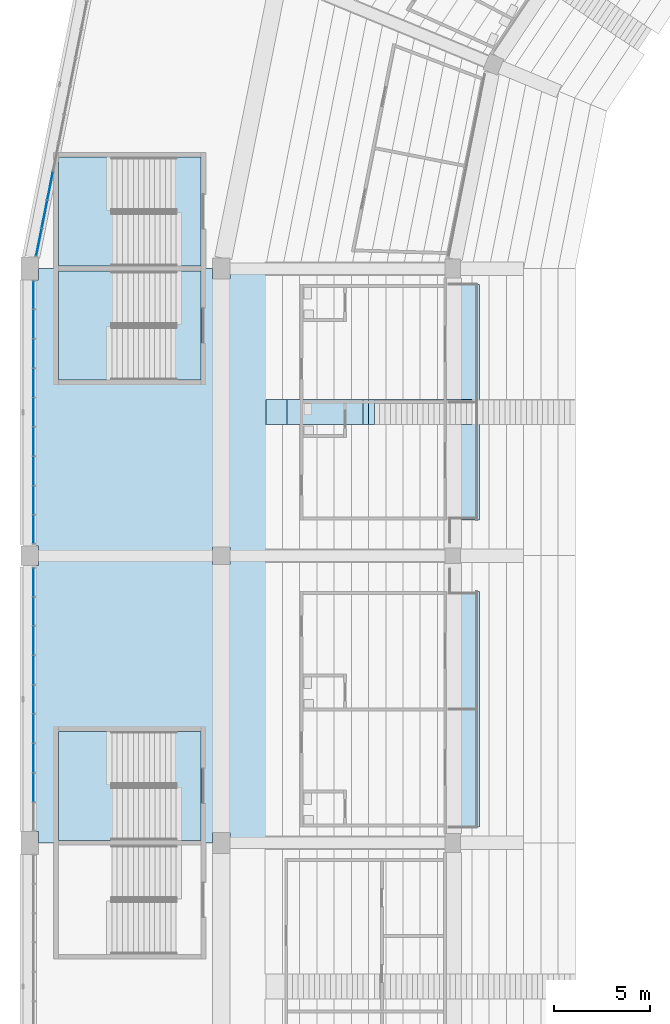
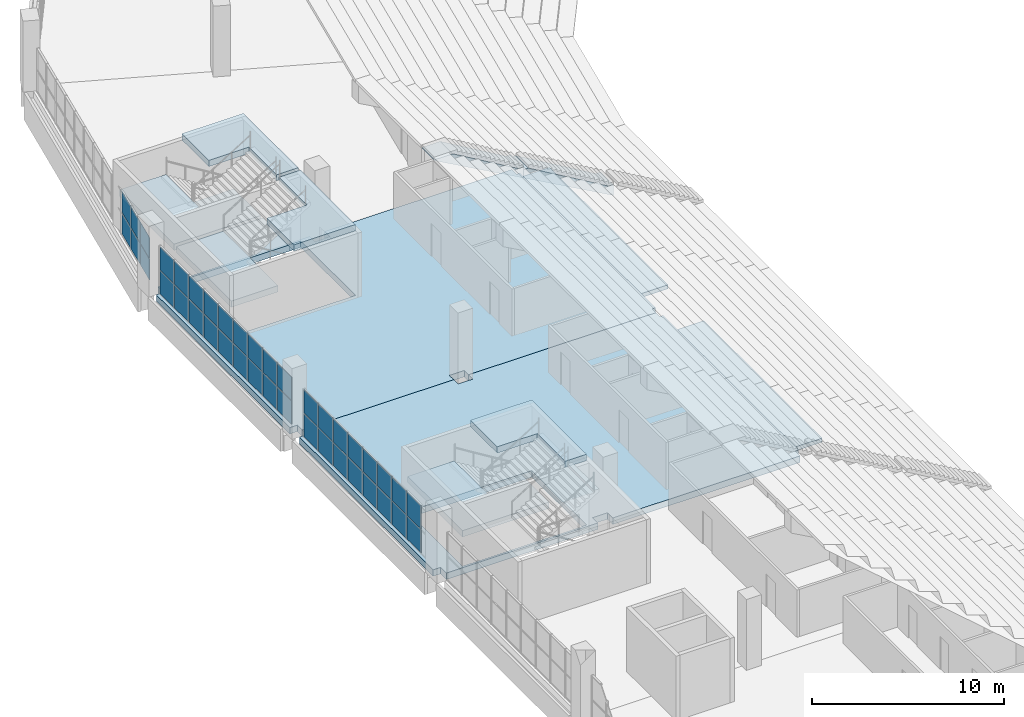
# One storey, part 75 of 249: 40 plates, 12 slabs, 6 elements without a shape of their own.
"""IFC4 building model written with IfcOpenShell, lengths in metres."""

from ifc_helpers import new_model, si_unit, direction, frame, origin, origin_2d, place, context, subcontext, project, spatial, polyline, rectangle, outline, extrude, material, layer, layer_set, type_object, element, aggregate, save


model = new_model("IFC4")

# Units and contexts
model_context = context("Model", 3, precision=1e-05, world=origin(), true_north=direction((0.0, 1.0)))
body_context = subcontext(model_context, "Body", "Model", "MODEL_VIEW")
ifc_project = project(units=[si_unit("LENGTHUNIT", "METRE"), si_unit("AREAUNIT", "SQUARE_METRE"), si_unit("VOLUMEUNIT", "CUBIC_METRE"), si_unit("PLANEANGLEUNIT", "RADIAN"), si_unit("MASSUNIT", "GRAM", prefix="KILO")], contexts=[model_context])

# Site, building, storey
site_placement = place(None, origin())
site = spatial("IfcSite", under=ifc_project, at=site_placement, CompositionType="ELEMENT")
building_placement = place(site_placement, origin())
building = spatial("IfcBuilding", under=site, at=building_placement, Name="Ogive Plaza Stadium", CompositionType="ELEMENT")
storey_placement = place(building_placement, frame((0.0, 0.0, 13.5)))
storey = spatial("IfcBuildingStorey", under=building, at=storey_placement, Name="L03", CompositionType="ELEMENT", Elevation=13.5)

# Slabs
ifc_material_1 = material(Name="Concrete C40/50", Category="concrete")
ifc_layer_1 = layer(ifc_material_1, 0.75927734375)
ifc_layer_set_1 = layer_set([ifc_layer_1], Name="Concrete C40/50")
ifc_layer_2 = layer(ifc_material_1, 0.449951171875)
ifc_layer_set_2 = layer_set([ifc_layer_2], Name="Concrete C40/50")
slab_type_1 = type_object("IfcSlabType", Name="Aisle stair slab 1300", PredefinedType="USERDEFINED", material=ifc_layer_set_2)
slab_1_placement = place(storey_placement, frame((-60.89990234375, 45.0, -13.5), z_axis=(0.0, 0.0, 1.0), x_axis=(-1.0, 0.0, 0.0)))
element("IfcSlab", 1, at=slab_1_placement, inside=storey, type_object=slab_type_1, material=ifc_layer_set_1, Name="Aisle stair SA27U slab 2", ObjectType="AISLE STAIR SLAB", PredefinedType="USERDEFINED", context=body_context, shape_type="SweptSolid", body=[
    extrude(outline(polyline([(0.0, 17.0), (0.2958984375, 17.0), (5.10009765625, 19.825927734375), (5.39990234375, 19.825927734375), (5.39990234375, 19.300048828125), (5.25, 19.216796875), (5.10009765625, 19.13330078125), (4.949951171875, 19.050048828125), (4.800048828125, 18.966796875), (4.64990234375, 18.88330078125), (4.5, 18.800048828125), (4.35009765625, 18.716796875), (4.199951171875, 18.63330078125), (4.050048828125, 18.550048828125), (3.89990234375, 18.466796875), (3.75, 18.38330078125), (3.60009765625, 18.300048828125), (3.449951171875, 18.216796875), (3.300048828125, 18.13330078125), (3.14990234375, 18.050048828125), (3.0, 17.966796875), (2.85009765625, 17.88330078125), (2.699951171875, 17.800048828125), (2.550048828125, 17.716796875), (2.39990234375, 17.63330078125), (2.25, 17.550048828125), (2.10009765625, 17.466796875), (1.949951171875, 17.38330078125), (1.800048828125, 17.300048828125), (1.64990234375, 17.216796875), (1.5, 17.13330078125), (1.35009765625, 17.050048828125), (1.199951171875, 16.966796875), (1.050048828125, 16.88330078125), (0.89990234375, 16.800048828125), (0.75, 16.716796875), (0.60009765625, 16.63330078125), (0.449951171875, 16.550048828125), (0.300048828125, 16.466796875), (0.14990234375, 16.38330078125), (0.0, 16.300048828125), (0.0, 17.0)])), frame((0.0, 0.64990234375, 0.0), z_axis=(0.0, -1.0, 0.0), x_axis=(1.0, 0.0, 0.0)), (0.0, 0.0, 1.0), 1.300048828125),
])
ifc_layer_3 = layer(ifc_material_1, 1.08056640625)
ifc_layer_set_3 = layer_set([ifc_layer_3], Name="Concrete C40/50")
slab_2_placement = place(storey_placement, frame((-66.300048828125, 45.0, -13.5), z_axis=(0.0, 0.0, 1.0), x_axis=(-1.0, 0.0, 0.0)))
element("IfcSlab", 2, at=slab_2_placement, inside=storey, type_object=slab_type_1, material=ifc_layer_set_3, Name="Aisle stair SA27U slab 3", ObjectType="AISLE STAIR SLAB", PredefinedType="USERDEFINED", context=body_context, shape_type="SweptSolid", body=[
    extrude(outline(polyline([(0.0, 20.0), (0.2958984375, 20.0), (4.25, 22.325927734375), (5.35009765625, 22.325927734375), (5.35009765625, 22.272216796875), (5.25, 22.216796875), (5.10009765625, 22.13330078125), (4.949951171875, 22.050048828125), (4.800048828125, 21.966796875), (4.64990234375, 21.88330078125), (4.5, 21.800048828125), (4.35009765625, 21.716796875), (4.199951171875, 21.63330078125), (4.050048828125, 21.550048828125), (3.89990234375, 21.466796875), (3.75, 21.38330078125), (3.60009765625, 21.300048828125), (3.449951171875, 21.216796875), (3.300048828125, 21.13330078125), (3.14990234375, 21.050048828125), (3.0, 20.966796875), (2.85009765625, 20.88330078125), (2.699951171875, 20.800048828125), (2.550048828125, 20.716796875), (2.39990234375, 20.63330078125), (2.25, 20.550048828125), (2.10009765625, 20.466796875), (1.949951171875, 20.38330078125), (1.800048828125, 20.300048828125), (1.64990234375, 20.216796875), (1.5, 20.13330078125), (1.35009765625, 20.050048828125), (1.199951171875, 19.966796875), (1.050048828125, 19.88330078125), (0.89990234375, 19.800048828125), (0.75, 19.716796875), (0.60009765625, 19.63330078125), (0.449951171875, 19.550048828125), (0.300048828125, 19.466796875), (0.14990234375, 19.38330078125), (0.0, 19.300048828125), (0.0, 20.0)])), frame((0.0, 0.64990234375, 0.0), z_axis=(0.0, -1.0, 0.0), x_axis=(1.0, 0.0, 0.0)), (0.0, 0.0, 1.0), 1.300048828125),
])
ifc_material_2 = material(Name="Concrete C40/50", Category="concrete")
ifc_layer_4 = layer(ifc_material_2, 0.25)
ifc_layer_set_4 = layer_set([ifc_layer_4], Name="Concrete C40/50")
slab_type_2 = type_object("IfcSlabType", Name="Balcony slab 250", PredefinedType="FLOOR", material=ifc_layer_set_4)
slab_3_placement = place(storey_placement, frame((0.0, 0.0, -0.25)))
element("IfcSlab", 3, at=slab_3_placement, inside=storey, type_object=slab_type_2, Name="Suite terrace slab B26", PredefinedType="FLOOR", context=body_context, shape_type="SweptSolid", body=[
    extrude(outline(polyline([(-60.5, 35.625), (-62.10009765625, 35.625), (-62.10009765625, 23.324951171875), (-60.5, 23.324951171875), (-60.5, 35.625)])), origin(), (0.0, 0.0, 1.0), 0.25),
])
slab_4_placement = place(storey_placement, frame((0.0, 0.0, -0.25)))
element("IfcSlab", 4, at=slab_4_placement, inside=storey, type_object=slab_type_2, Name="Suite terrace slab B27", PredefinedType="FLOOR", context=body_context, shape_type="SweptSolid", body=[
    extrude(outline(polyline([(-60.5, 51.675048828125), (-62.10009765625, 51.675048828125), (-62.10009765625, 39.375), (-60.5, 39.375), (-60.5, 51.675048828125)])), origin(), (0.0, 0.0, 1.0), 0.25),
])

# Curtain wall, plates
ifc_material_3 = material(Name="Bronze-anodised aluminium with laminated glass", Category="aluminium")
curtain_wall_type = type_object("IfcCurtainWallType", Name="Lancet curtain wall", PredefinedType="NOTDEFINED", material=ifc_material_3)
curtain_wall_1_placement = place(storey_placement, origin())
curtain_wall_1 = element("IfcCurtainWall", 5, at=curtain_wall_1_placement, inside=storey, type_object=curtain_wall_type, Name="CURTAIN WALL B26 L03", PredefinedType="NOTDEFINED")
ifc_material_4 = material(Name="Laminated glass", Category="glass")
ifc_layer_5 = layer(ifc_material_4, 0.028076171875)
ifc_layer_set_5 = layer_set([ifc_layer_5], Name="Laminated glass panel 28")
plate_type = type_object("IfcPlateType", Name="Laminated glass panel 28", PredefinedType="CURTAIN_PANEL", material=ifc_layer_set_5)
plate_1_placement = place(storey_placement, frame((-83.800048828125, 25.39990234375, 0.0498046875), z_axis=(0.0, 0.0, 1.0), x_axis=(0.0, 1.0, 0.0)))
plate_1 = element("IfcPlate", 6, at=plate_1_placement, type_object=plate_type, Name="CW-B26-L03 panel 2.1", PredefinedType="CURTAIN_PANEL", context=body_context, shape_type="SweptSolid", body=[
    extrude(rectangle(XDim=1.4833984375, YDim=0.028076171875, at=origin_2d()), origin(), (0.0, 0.0, 1.0), 1.469970703125),
])
plate_2_placement = place(storey_placement, frame((-83.800048828125, 25.39990234375, 1.56982421875), z_axis=(0.0, 0.0, 1.0), x_axis=(0.0, 1.0, 0.0)))
plate_2 = element("IfcPlate", 7, at=plate_2_placement, type_object=plate_type, Name="CW-B26-L03 panel 2.2", PredefinedType="CURTAIN_PANEL", context=body_context, shape_type="SweptSolid", body=[
    extrude(rectangle(XDim=1.4833984375, YDim=0.028076171875, at=origin_2d()), origin(), (0.0, 0.0, 1.0), 1.469970703125),
])
plate_3_placement = place(storey_placement, frame((-83.800048828125, 26.933349609375, 0.0498046875), z_axis=(0.0, 0.0, 1.0), x_axis=(0.0, 1.0, 0.0)))
plate_3 = element("IfcPlate", 8, at=plate_3_placement, type_object=plate_type, Name="CW-B26-L03 panel 3.1", PredefinedType="CURTAIN_PANEL", context=body_context, shape_type="SweptSolid", body=[
    extrude(rectangle(XDim=1.4833984375, YDim=0.028076171875, at=origin_2d()), origin(), (0.0, 0.0, 1.0), 1.469970703125),
])
plate_4_placement = place(storey_placement, frame((-83.800048828125, 26.933349609375, 1.56982421875), z_axis=(0.0, 0.0, 1.0), x_axis=(0.0, 1.0, 0.0)))
plate_4 = element("IfcPlate", 9, at=plate_4_placement, type_object=plate_type, Name="CW-B26-L03 panel 3.2", PredefinedType="CURTAIN_PANEL", context=body_context, shape_type="SweptSolid", body=[
    extrude(rectangle(XDim=1.4833984375, YDim=0.028076171875, at=origin_2d()), origin(), (0.0, 0.0, 1.0), 1.469970703125),
])
plate_5_placement = place(storey_placement, frame((-83.800048828125, 28.466552734375, 0.0498046875), z_axis=(0.0, 0.0, 1.0), x_axis=(0.0, 1.0, 0.0)))
plate_5 = element("IfcPlate", 10, at=plate_5_placement, type_object=plate_type, Name="CW-B26-L03 panel 4.1", PredefinedType="CURTAIN_PANEL", context=body_context, shape_type="SweptSolid", body=[
    extrude(rectangle(XDim=1.4833984375, YDim=0.028076171875, at=origin_2d()), origin(), (0.0, 0.0, 1.0), 1.469970703125),
])
plate_6_placement = place(storey_placement, frame((-83.800048828125, 28.466552734375, 1.56982421875), z_axis=(0.0, 0.0, 1.0), x_axis=(0.0, 1.0, 0.0)))
plate_6 = element("IfcPlate", 11, at=plate_6_placement, type_object=plate_type, Name="CW-B26-L03 panel 4.2", PredefinedType="CURTAIN_PANEL", context=body_context, shape_type="SweptSolid", body=[
    extrude(rectangle(XDim=1.4833984375, YDim=0.028076171875, at=origin_2d()), origin(), (0.0, 0.0, 1.0), 1.469970703125),
])
plate_7_placement = place(storey_placement, frame((-83.800048828125, 30.0, 0.0498046875), z_axis=(0.0, 0.0, 1.0), x_axis=(0.0, 1.0, 0.0)))
plate_7 = element("IfcPlate", 12, at=plate_7_placement, type_object=plate_type, Name="CW-B26-L03 panel 5.1", PredefinedType="CURTAIN_PANEL", context=body_context, shape_type="SweptSolid", body=[
    extrude(rectangle(XDim=1.4833984375, YDim=0.028076171875, at=origin_2d()), origin(), (0.0, 0.0, 1.0), 1.469970703125),
])
plate_8_placement = place(storey_placement, frame((-83.800048828125, 30.0, 1.56982421875), z_axis=(0.0, 0.0, 1.0), x_axis=(0.0, 1.0, 0.0)))
plate_8 = element("IfcPlate", 13, at=plate_8_placement, type_object=plate_type, Name="CW-B26-L03 panel 5.2", PredefinedType="CURTAIN_PANEL", context=body_context, shape_type="SweptSolid", body=[
    extrude(rectangle(XDim=1.4833984375, YDim=0.028076171875, at=origin_2d()), origin(), (0.0, 0.0, 1.0), 1.469970703125),
])
plate_9_placement = place(storey_placement, frame((-83.800048828125, 31.533447265625, 0.0498046875), z_axis=(0.0, 0.0, 1.0), x_axis=(0.0, 1.0, 0.0)))
plate_9 = element("IfcPlate", 14, at=plate_9_placement, type_object=plate_type, Name="CW-B26-L03 panel 6.1", PredefinedType="CURTAIN_PANEL", context=body_context, shape_type="SweptSolid", body=[
    extrude(rectangle(XDim=1.4833984375, YDim=0.028076171875, at=origin_2d()), origin(), (0.0, 0.0, 1.0), 1.469970703125),
])
plate_10_placement = place(storey_placement, frame((-83.800048828125, 31.533447265625, 1.56982421875), z_axis=(0.0, 0.0, 1.0), x_axis=(0.0, 1.0, 0.0)))
plate_10 = element("IfcPlate", 15, at=plate_10_placement, type_object=plate_type, Name="CW-B26-L03 panel 6.2", PredefinedType="CURTAIN_PANEL", context=body_context, shape_type="SweptSolid", body=[
    extrude(rectangle(XDim=1.4833984375, YDim=0.028076171875, at=origin_2d()), origin(), (0.0, 0.0, 1.0), 1.469970703125),
])
plate_11_placement = place(storey_placement, frame((-83.800048828125, 33.066650390625, 0.0498046875), z_axis=(0.0, 0.0, 1.0), x_axis=(0.0, 1.0, 0.0)))
plate_11 = element("IfcPlate", 16, at=plate_11_placement, type_object=plate_type, Name="CW-B26-L03 panel 7.1", PredefinedType="CURTAIN_PANEL", context=body_context, shape_type="SweptSolid", body=[
    extrude(rectangle(XDim=1.4833984375, YDim=0.028076171875, at=origin_2d()), origin(), (0.0, 0.0, 1.0), 1.469970703125),
])
plate_12_placement = place(storey_placement, frame((-83.800048828125, 33.066650390625, 1.56982421875), z_axis=(0.0, 0.0, 1.0), x_axis=(0.0, 1.0, 0.0)))
plate_12 = element("IfcPlate", 17, at=plate_12_placement, type_object=plate_type, Name="CW-B26-L03 panel 7.2", PredefinedType="CURTAIN_PANEL", context=body_context, shape_type="SweptSolid", body=[
    extrude(rectangle(XDim=1.4833984375, YDim=0.028076171875, at=origin_2d()), origin(), (0.0, 0.0, 1.0), 1.469970703125),
])
plate_13_placement = place(storey_placement, frame((-83.800048828125, 34.60009765625, 0.0498046875), z_axis=(0.0, 0.0, 1.0), x_axis=(0.0, 1.0, 0.0)))
plate_13 = element("IfcPlate", 18, at=plate_13_placement, type_object=plate_type, Name="CW-B26-L03 panel 8.1", PredefinedType="CURTAIN_PANEL", context=body_context, shape_type="SweptSolid", body=[
    extrude(rectangle(XDim=1.4833984375, YDim=0.028076171875, at=origin_2d()), origin(), (0.0, 0.0, 1.0), 1.469970703125),
])
plate_14_placement = place(storey_placement, frame((-83.800048828125, 34.60009765625, 1.56982421875), z_axis=(0.0, 0.0, 1.0), x_axis=(0.0, 1.0, 0.0)))
plate_14 = element("IfcPlate", 19, at=plate_14_placement, type_object=plate_type, Name="CW-B26-L03 panel 8.2", PredefinedType="CURTAIN_PANEL", context=body_context, shape_type="SweptSolid", body=[
    extrude(rectangle(XDim=1.4833984375, YDim=0.028076171875, at=origin_2d()), origin(), (0.0, 0.0, 1.0), 1.469970703125),
])
plate_15_placement = place(storey_placement, frame((-83.800048828125, 36.120849609375, 0.0498046875), z_axis=(0.0, 0.0, 1.0), x_axis=(0.0, 1.0, 0.0)))
plate_15 = element("IfcPlate", 20, at=plate_15_placement, type_object=plate_type, Name="CW-B26-L03 panel 9.1", PredefinedType="CURTAIN_PANEL", context=body_context, shape_type="SweptSolid", body=[
    extrude(rectangle(XDim=1.458251953125, YDim=0.028076171875, at=origin_2d()), origin(), (0.0, 0.0, 1.0), 1.469970703125),
])
plate_16_placement = place(storey_placement, frame((-83.800048828125, 36.120849609375, 1.56982421875), z_axis=(0.0, 0.0, 1.0), x_axis=(0.0, 1.0, 0.0)))
plate_16 = element("IfcPlate", 21, at=plate_16_placement, type_object=plate_type, Name="CW-B26-L03 panel 9.2", PredefinedType="CURTAIN_PANEL", context=body_context, shape_type="SweptSolid", body=[
    extrude(rectangle(XDim=1.458251953125, YDim=0.028076171875, at=origin_2d()), origin(), (0.0, 0.0, 1.0), 1.469970703125),
])
aggregate(curtain_wall_1, [plate_1, plate_2, plate_3, plate_4, plate_5, plate_6, plate_7, plate_8, plate_9, plate_10, plate_11, plate_12, plate_13, plate_14, plate_15, plate_16])

curtain_wall_2_placement = place(storey_placement, origin())
curtain_wall_2 = element("IfcCurtainWall", 22, at=curtain_wall_2_placement, inside=storey, type_object=curtain_wall_type, Name="CURTAIN WALL B27 L03", PredefinedType="NOTDEFINED")
plate_17_placement = place(storey_placement, frame((-83.800048828125, 38.879150390625, 0.0498046875), z_axis=(0.0, 0.0, 1.0), x_axis=(0.0, 1.0, 0.0)))
plate_17 = element("IfcPlate", 23, at=plate_17_placement, type_object=plate_type, Name="CW-B27-L03 panel 1.1", PredefinedType="CURTAIN_PANEL", context=body_context, shape_type="SweptSolid", body=[
    extrude(rectangle(XDim=1.458251953125, YDim=0.028076171875, at=origin_2d()), origin(), (0.0, 0.0, 1.0), 1.469970703125),
])
plate_18_placement = place(storey_placement, frame((-83.800048828125, 38.879150390625, 1.56982421875), z_axis=(0.0, 0.0, 1.0), x_axis=(0.0, 1.0, 0.0)))
plate_18 = element("IfcPlate", 24, at=plate_18_placement, type_object=plate_type, Name="CW-B27-L03 panel 1.2", PredefinedType="CURTAIN_PANEL", context=body_context, shape_type="SweptSolid", body=[
    extrude(rectangle(XDim=1.458251953125, YDim=0.028076171875, at=origin_2d()), origin(), (0.0, 0.0, 1.0), 1.469970703125),
])
plate_19_placement = place(storey_placement, frame((-83.800048828125, 40.39990234375, 0.0498046875), z_axis=(0.0, 0.0, 1.0), x_axis=(0.0, 1.0, 0.0)))
plate_19 = element("IfcPlate", 25, at=plate_19_placement, type_object=plate_type, Name="CW-B27-L03 panel 2.1", PredefinedType="CURTAIN_PANEL", context=body_context, shape_type="SweptSolid", body=[
    extrude(rectangle(XDim=1.4833984375, YDim=0.028076171875, at=origin_2d()), origin(), (0.0, 0.0, 1.0), 1.469970703125),
])
plate_20_placement = place(storey_placement, frame((-83.800048828125, 40.39990234375, 1.56982421875), z_axis=(0.0, 0.0, 1.0), x_axis=(0.0, 1.0, 0.0)))
plate_20 = element("IfcPlate", 26, at=plate_20_placement, type_object=plate_type, Name="CW-B27-L03 panel 2.2", PredefinedType="CURTAIN_PANEL", context=body_context, shape_type="SweptSolid", body=[
    extrude(rectangle(XDim=1.4833984375, YDim=0.028076171875, at=origin_2d()), origin(), (0.0, 0.0, 1.0), 1.469970703125),
])
plate_21_placement = place(storey_placement, frame((-83.800048828125, 41.933349609375, 0.0498046875), z_axis=(0.0, 0.0, 1.0), x_axis=(0.0, 1.0, 0.0)))
plate_21 = element("IfcPlate", 27, at=plate_21_placement, type_object=plate_type, Name="CW-B27-L03 panel 3.1", PredefinedType="CURTAIN_PANEL", context=body_context, shape_type="SweptSolid", body=[
    extrude(rectangle(XDim=1.4833984375, YDim=0.028076171875, at=origin_2d()), origin(), (0.0, 0.0, 1.0), 1.469970703125),
])
plate_22_placement = place(storey_placement, frame((-83.800048828125, 41.933349609375, 1.56982421875), z_axis=(0.0, 0.0, 1.0), x_axis=(0.0, 1.0, 0.0)))
plate_22 = element("IfcPlate", 28, at=plate_22_placement, type_object=plate_type, Name="CW-B27-L03 panel 3.2", PredefinedType="CURTAIN_PANEL", context=body_context, shape_type="SweptSolid", body=[
    extrude(rectangle(XDim=1.4833984375, YDim=0.028076171875, at=origin_2d()), origin(), (0.0, 0.0, 1.0), 1.469970703125),
])
plate_23_placement = place(storey_placement, frame((-83.800048828125, 43.466552734375, 0.0498046875), z_axis=(0.0, 0.0, 1.0), x_axis=(0.0, 1.0, 0.0)))
plate_23 = element("IfcPlate", 29, at=plate_23_placement, type_object=plate_type, Name="CW-B27-L03 panel 4.1", PredefinedType="CURTAIN_PANEL", context=body_context, shape_type="SweptSolid", body=[
    extrude(rectangle(XDim=1.4833984375, YDim=0.028076171875, at=origin_2d()), origin(), (0.0, 0.0, 1.0), 1.469970703125),
])
plate_24_placement = place(storey_placement, frame((-83.800048828125, 43.466552734375, 1.56982421875), z_axis=(0.0, 0.0, 1.0), x_axis=(0.0, 1.0, 0.0)))
plate_24 = element("IfcPlate", 30, at=plate_24_placement, type_object=plate_type, Name="CW-B27-L03 panel 4.2", PredefinedType="CURTAIN_PANEL", context=body_context, shape_type="SweptSolid", body=[
    extrude(rectangle(XDim=1.4833984375, YDim=0.028076171875, at=origin_2d()), origin(), (0.0, 0.0, 1.0), 1.469970703125),
])
plate_25_placement = place(storey_placement, frame((-83.800048828125, 45.0, 0.0498046875), z_axis=(0.0, 0.0, 1.0), x_axis=(0.0, 1.0, 0.0)))
plate_25 = element("IfcPlate", 31, at=plate_25_placement, type_object=plate_type, Name="CW-B27-L03 panel 5.1", PredefinedType="CURTAIN_PANEL", context=body_context, shape_type="SweptSolid", body=[
    extrude(rectangle(XDim=1.4833984375, YDim=0.028076171875, at=origin_2d()), origin(), (0.0, 0.0, 1.0), 1.469970703125),
])
plate_26_placement = place(storey_placement, frame((-83.800048828125, 45.0, 1.56982421875), z_axis=(0.0, 0.0, 1.0), x_axis=(0.0, 1.0, 0.0)))
plate_26 = element("IfcPlate", 32, at=plate_26_placement, type_object=plate_type, Name="CW-B27-L03 panel 5.2", PredefinedType="CURTAIN_PANEL", context=body_context, shape_type="SweptSolid", body=[
    extrude(rectangle(XDim=1.4833984375, YDim=0.028076171875, at=origin_2d()), origin(), (0.0, 0.0, 1.0), 1.469970703125),
])
plate_27_placement = place(storey_placement, frame((-83.800048828125, 46.533447265625, 0.0498046875), z_axis=(0.0, 0.0, 1.0), x_axis=(0.0, 1.0, 0.0)))
plate_27 = element("IfcPlate", 33, at=plate_27_placement, type_object=plate_type, Name="CW-B27-L03 panel 6.1", PredefinedType="CURTAIN_PANEL", context=body_context, shape_type="SweptSolid", body=[
    extrude(rectangle(XDim=1.4833984375, YDim=0.028076171875, at=origin_2d()), origin(), (0.0, 0.0, 1.0), 1.469970703125),
])
plate_28_placement = place(storey_placement, frame((-83.800048828125, 46.533447265625, 1.56982421875), z_axis=(0.0, 0.0, 1.0), x_axis=(0.0, 1.0, 0.0)))
plate_28 = element("IfcPlate", 34, at=plate_28_placement, type_object=plate_type, Name="CW-B27-L03 panel 6.2", PredefinedType="CURTAIN_PANEL", context=body_context, shape_type="SweptSolid", body=[
    extrude(rectangle(XDim=1.4833984375, YDim=0.028076171875, at=origin_2d()), origin(), (0.0, 0.0, 1.0), 1.469970703125),
])
plate_29_placement = place(storey_placement, frame((-83.800048828125, 48.066650390625, 0.0498046875), z_axis=(0.0, 0.0, 1.0), x_axis=(0.0, 1.0, 0.0)))
plate_29 = element("IfcPlate", 35, at=plate_29_placement, type_object=plate_type, Name="CW-B27-L03 panel 7.1", PredefinedType="CURTAIN_PANEL", context=body_context, shape_type="SweptSolid", body=[
    extrude(rectangle(XDim=1.4833984375, YDim=0.028076171875, at=origin_2d()), origin(), (0.0, 0.0, 1.0), 1.469970703125),
])
plate_30_placement = place(storey_placement, frame((-83.800048828125, 48.066650390625, 1.56982421875), z_axis=(0.0, 0.0, 1.0), x_axis=(0.0, 1.0, 0.0)))
plate_30 = element("IfcPlate", 36, at=plate_30_placement, type_object=plate_type, Name="CW-B27-L03 panel 7.2", PredefinedType="CURTAIN_PANEL", context=body_context, shape_type="SweptSolid", body=[
    extrude(rectangle(XDim=1.4833984375, YDim=0.028076171875, at=origin_2d()), origin(), (0.0, 0.0, 1.0), 1.469970703125),
])
plate_31_placement = place(storey_placement, frame((-83.800048828125, 49.60009765625, 0.0498046875), z_axis=(0.0, 0.0, 1.0), x_axis=(0.0, 1.0, 0.0)))
plate_31 = element("IfcPlate", 37, at=plate_31_placement, type_object=plate_type, Name="CW-B27-L03 panel 8.1", PredefinedType="CURTAIN_PANEL", context=body_context, shape_type="SweptSolid", body=[
    extrude(rectangle(XDim=1.4833984375, YDim=0.028076171875, at=origin_2d()), origin(), (0.0, 0.0, 1.0), 1.469970703125),
])
plate_32_placement = place(storey_placement, frame((-83.800048828125, 49.60009765625, 1.56982421875), z_axis=(0.0, 0.0, 1.0), x_axis=(0.0, 1.0, 0.0)))
plate_32 = element("IfcPlate", 38, at=plate_32_placement, type_object=plate_type, Name="CW-B27-L03 panel 8.2", PredefinedType="CURTAIN_PANEL", context=body_context, shape_type="SweptSolid", body=[
    extrude(rectangle(XDim=1.4833984375, YDim=0.028076171875, at=origin_2d()), origin(), (0.0, 0.0, 1.0), 1.469970703125),
])
plate_33_placement = place(storey_placement, frame((-83.800048828125, 51.120849609375, 0.0498046875), z_axis=(0.0, 0.0, 1.0), x_axis=(0.0, 1.0, 0.0)))
plate_33 = element("IfcPlate", 39, at=plate_33_placement, type_object=plate_type, Name="CW-B27-L03 panel 9.1", PredefinedType="CURTAIN_PANEL", context=body_context, shape_type="SweptSolid", body=[
    extrude(rectangle(XDim=1.458251953125, YDim=0.028076171875, at=origin_2d()), origin(), (0.0, 0.0, 1.0), 1.469970703125),
])
plate_34_placement = place(storey_placement, frame((-83.800048828125, 51.120849609375, 1.56982421875), z_axis=(0.0, 0.0, 1.0), x_axis=(0.0, 1.0, 0.0)))
plate_34 = element("IfcPlate", 40, at=plate_34_placement, type_object=plate_type, Name="CW-B27-L03 panel 9.2", PredefinedType="CURTAIN_PANEL", context=body_context, shape_type="SweptSolid", body=[
    extrude(rectangle(XDim=1.458251953125, YDim=0.028076171875, at=origin_2d()), origin(), (0.0, 0.0, 1.0), 1.469970703125),
])
aggregate(curtain_wall_2, [plate_17, plate_18, plate_19, plate_20, plate_21, plate_22, plate_23, plate_24, plate_25, plate_26, plate_27, plate_28, plate_29, plate_30, plate_31, plate_32, plate_33, plate_34])

curtain_wall_3_placement = place(storey_placement, origin())
curtain_wall_3 = element("IfcCurtainWall", 41, at=curtain_wall_3_placement, inside=storey, type_object=curtain_wall_type, Name="CURTAIN WALL B28 L03", PredefinedType="NOTDEFINED")
plate_35_placement = place(storey_placement, frame((-83.522705078125, 53.874267578125, 0.0498046875), z_axis=(0.0, 0.0, 1.0), x_axis=(0.195090322016, 0.980785280403, 0.0)))
plate_35 = element("IfcPlate", 42, at=plate_35_placement, type_object=plate_type, Name="CW-B28-L03 panel 1.1", PredefinedType="CURTAIN_PANEL", context=body_context, shape_type="SweptSolid", body=[
    extrude(rectangle(XDim=1.43896484375, YDim=0.028076171875, at=origin_2d()), origin(), (0.0, 0.0, 1.0), 1.320068359375),
])
plate_36_placement = place(storey_placement, frame((-83.522705078125, 53.874267578125, 1.419921875), z_axis=(0.0, 0.0, 1.0), x_axis=(0.195090322016, 0.980785280403, 0.0)))
plate_36 = element("IfcPlate", 43, at=plate_36_placement, type_object=plate_type, Name="CW-B28-L03 panel 1.2", PredefinedType="CURTAIN_PANEL", context=body_context, shape_type="SweptSolid", body=[
    extrude(rectangle(XDim=1.43896484375, YDim=0.028076171875, at=origin_2d()), origin(), (0.0, 0.0, 1.0), 1.320068359375),
])
plate_37_placement = place(storey_placement, frame((-83.229736328125, 55.3466796875, 0.0498046875), z_axis=(0.0, 0.0, 1.0), x_axis=(0.195090322016, 0.980785280403, 0.0)))
plate_37 = element("IfcPlate", 44, at=plate_37_placement, type_object=plate_type, Name="CW-B28-L03 panel 2.1", PredefinedType="CURTAIN_PANEL", context=body_context, shape_type="SweptSolid", body=[
    extrude(rectangle(XDim=1.4638671875, YDim=0.028076171875, at=origin_2d()), origin(), (0.0, 0.0, 1.0), 1.320068359375),
])
plate_38_placement = place(storey_placement, frame((-83.229736328125, 55.3466796875, 1.419921875), z_axis=(0.0, 0.0, 1.0), x_axis=(0.195090322016, 0.980785280403, 0.0)))
plate_38 = element("IfcPlate", 45, at=plate_38_placement, type_object=plate_type, Name="CW-B28-L03 panel 2.2", PredefinedType="CURTAIN_PANEL", context=body_context, shape_type="SweptSolid", body=[
    extrude(rectangle(XDim=1.4638671875, YDim=0.028076171875, at=origin_2d()), origin(), (0.0, 0.0, 1.0), 1.320068359375),
])
plate_39_placement = place(storey_placement, frame((-82.9345703125, 56.831298828125, 0.0498046875), z_axis=(0.0, 0.0, 1.0), x_axis=(0.195090322016, 0.980785280403, 0.0)))
plate_39 = element("IfcPlate", 46, at=plate_39_placement, type_object=plate_type, Name="CW-B28-L03 panel 3.1", PredefinedType="CURTAIN_PANEL", context=body_context, shape_type="SweptSolid", body=[
    extrude(rectangle(XDim=1.4638671875, YDim=0.028076171875, at=origin_2d()), origin(), (0.0, 0.0, 1.0), 1.320068359375),
])
plate_40_placement = place(storey_placement, frame((-82.9345703125, 56.831298828125, 1.419921875), z_axis=(0.0, 0.0, 1.0), x_axis=(0.195090322016, 0.980785280403, 0.0)))
plate_40 = element("IfcPlate", 47, at=plate_40_placement, type_object=plate_type, Name="CW-B28-L03 panel 3.2", PredefinedType="CURTAIN_PANEL", context=body_context, shape_type="SweptSolid", body=[
    extrude(rectangle(XDim=1.4638671875, YDim=0.028076171875, at=origin_2d()), origin(), (0.0, 0.0, 1.0), 1.320068359375),
])
aggregate(curtain_wall_3, [plate_35, plate_36, plate_37, plate_38, plate_39, plate_40])

# Slabs
ifc_material_5 = material(Name="Concrete C40/50", Category="concrete")
ifc_layer_6 = layer(ifc_material_5, 0.409912109375)
ifc_layer_set_6 = layer_set([ifc_layer_6], Name="Concrete C40/50")
slab_type_3 = type_object("IfcSlabType", Name="RC floor slab 410", PredefinedType="FLOOR", material=ifc_layer_set_6)
slab_5_placement = place(storey_placement, frame((0.0, 0.0, -0.409912109375)))
element("IfcSlab", 48, at=slab_5_placement, inside=storey, type_object=slab_type_3, Name="Floor slab L03 B26", PredefinedType="FLOOR", context=body_context, shape_type="SweptSolid", body=[
    extrude(outline(polyline([(-73.550048828125, 37.5), (-73.550048828125, 37.050048828125), (-74.449951171875, 37.050048828125), (-74.449951171875, 37.5), (-83.550048828125, 37.5), (-83.550048828125, 37.0), (-84.0, 37.0), (-84.0, 23.10009765625), (-83.550048828125, 23.10009765625), (-83.550048828125, 22.5), (-74.449951171875, 22.5), (-74.449951171875, 23.050048828125), (-73.550048828125, 23.050048828125), (-73.550048828125, 22.5), (-62.300048828125, 22.5), (-62.300048828125, 23.0), (-62.10009765625, 23.0), (-62.10009765625, 37.10009765625), (-62.300048828125, 37.10009765625), (-62.300048828125, 37.5), (-73.550048828125, 37.5)]), holes=[polyline([(-75.050048828125, 22.625), (-75.050048828125, 28.324951171875), (-82.510009765625, 28.324951171875), (-82.510009765625, 22.625), (-75.050048828125, 22.625)])]), origin(), (0.0, 0.0, 1.0), 0.409912109375),
])
slab_6_placement = place(storey_placement, frame((0.0, 0.0, -0.409912109375)))
element("IfcSlab", 49, at=slab_6_placement, inside=storey, type_object=slab_type_3, Name="Floor slab L03 B27", PredefinedType="FLOOR", context=body_context, shape_type="SweptSolid", body=[
    extrude(outline(polyline([(-73.550048828125, 52.5), (-73.550048828125, 51.949951171875), (-74.449951171875, 51.949951171875), (-74.449951171875, 52.5), (-83.550048828125, 52.5), (-83.550048828125, 51.89990234375), (-84.0, 51.89990234375), (-84.0, 38.0), (-83.550048828125, 38.0), (-83.550048828125, 37.5), (-74.449951171875, 37.5), (-74.449951171875, 37.949951171875), (-73.550048828125, 37.949951171875), (-73.550048828125, 37.5), (-62.300048828125, 37.5), (-62.300048828125, 37.89990234375), (-62.10009765625, 37.89990234375), (-62.10009765625, 52.0), (-62.300048828125, 52.0), (-62.300048828125, 52.5), (-73.550048828125, 52.5)]), holes=[polyline([(-75.050048828125, 46.675048828125), (-75.050048828125, 52.375), (-82.510009765625, 52.375), (-82.510009765625, 46.675048828125), (-75.050048828125, 46.675048828125)])]), origin(), (0.0, 0.0, 1.0), 0.409912109375),
])

# Stair, slabs
ifc_material_6 = material(Name="Concrete C40/50", Category="concrete")
stair_type = type_object("IfcStairType", Name="Exit stair", PredefinedType="STRAIGHT_RUN_STAIR", material=ifc_material_6)
stair_1_placement = place(storey_placement, origin())
stair_1 = element("IfcStair", 50, at=stair_1_placement, inside=storey, type_object=stair_type, Name="Exit stair ST26A L03 to L04", PredefinedType="STRAIGHT_RUN_STAIR")
ifc_material_7 = material(Name="Concrete C40/50", Category="concrete")
ifc_layer_7 = layer(ifc_material_7, 0.39990234375)
ifc_layer_set_7 = layer_set([ifc_layer_7], Name="Concrete C40/50")
slab_type_4 = type_object("IfcSlabType", Name="Stair landing", PredefinedType="LANDING", material=ifc_layer_set_7)
slab_7_placement = place(storey_placement, frame((0.0, 0.0, 1.85009765625)))
slab_7 = element("IfcSlab", 51, at=slab_7_placement, type_object=slab_type_4, Name="ST26A landing 1", PredefinedType="LANDING", context=body_context, shape_type="SweptSolid", body=[
    extrude(outline(polyline([(-82.510009765625, 22.625), (-82.510009765625, 28.324951171875), (-79.7099609375, 28.324951171875), (-79.7099609375, 25.425048828125), (-77.31005859375, 25.425048828125), (-77.31005859375, 22.625), (-79.7099609375, 22.625), (-82.510009765625, 22.625)])), origin(), (0.0, 0.0, 1.0), 0.39990234375),
])
slab_8_placement = place(storey_placement, frame((0.0, 0.0, 4.10009765625)))
slab_8 = element("IfcSlab", 52, at=slab_8_placement, type_object=slab_type_4, Name="ST26A landing 2", PredefinedType="LANDING", context=body_context, shape_type="SweptSolid", body=[
    extrude(outline(polyline([(-78.75, 25.52490234375), (-78.75, 28.324951171875), (-76.35009765625, 28.324951171875), (-75.050048828125, 28.324951171875), (-75.050048828125, 22.625), (-76.35009765625, 22.625), (-76.35009765625, 25.52490234375), (-78.75, 25.52490234375)])), origin(), (0.0, 0.0, 1.0), 0.39990234375),
])
aggregate(stair_1, [slab_7, slab_8])

stair_2_placement = place(storey_placement, origin())
stair_2 = element("IfcStair", 53, at=stair_2_placement, inside=storey, type_object=stair_type, Name="Exit stair ST28A L03 to L04", PredefinedType="STRAIGHT_RUN_STAIR")
slab_9_placement = place(storey_placement, frame((0.0, 0.0, 1.85009765625)))
slab_9 = element("IfcSlab", 54, at=slab_9_placement, type_object=slab_type_4, Name="ST28A landing 1", PredefinedType="LANDING", context=body_context, shape_type="SweptSolid", body=[
    extrude(outline(polyline([(-82.510009765625, 52.625), (-82.510009765625, 58.324951171875), (-79.7099609375, 58.324951171875), (-79.7099609375, 55.425048828125), (-77.31005859375, 55.425048828125), (-77.31005859375, 52.625), (-79.7099609375, 52.625), (-82.510009765625, 52.625)])), origin(), (0.0, 0.0, 1.0), 0.39990234375),
])
slab_10_placement = place(storey_placement, frame((0.0, 0.0, 4.10009765625)))
slab_10 = element("IfcSlab", 55, at=slab_10_placement, type_object=slab_type_4, Name="ST28A landing 2", PredefinedType="LANDING", context=body_context, shape_type="SweptSolid", body=[
    extrude(outline(polyline([(-78.75, 55.52490234375), (-78.75, 58.324951171875), (-76.35009765625, 58.324951171875), (-75.050048828125, 58.324951171875), (-75.050048828125, 52.625), (-76.35009765625, 52.625), (-76.35009765625, 55.52490234375), (-78.75, 55.52490234375)])), origin(), (0.0, 0.0, 1.0), 0.39990234375),
])
aggregate(stair_2, [slab_9, slab_10])

stair_3_placement = place(storey_placement, origin())
stair_3 = element("IfcStair", 56, at=stair_3_placement, inside=storey, type_object=stair_type, Name="Exit stair ST28B L03 to L04", PredefinedType="STRAIGHT_RUN_STAIR")
slab_11_placement = place(storey_placement, frame((0.0, 0.0, 1.85009765625)))
slab_11 = element("IfcSlab", 57, at=slab_11_placement, type_object=slab_type_4, Name="ST28B landing 1", PredefinedType="LANDING", context=body_context, shape_type="SweptSolid", body=[
    extrude(outline(polyline([(-77.31005859375, 52.375), (-77.31005859375, 49.574951171875), (-79.7099609375, 49.574951171875), (-79.7099609375, 46.675048828125), (-82.510009765625, 46.675048828125), (-82.510009765625, 52.375), (-79.7099609375, 52.375), (-77.31005859375, 52.375)])), origin(), (0.0, 0.0, 1.0), 0.39990234375),
])
slab_12_placement = place(storey_placement, frame((0.0, 0.0, 4.10009765625)))
slab_12 = element("IfcSlab", 58, at=slab_12_placement, type_object=slab_type_4, Name="ST28B landing 2", PredefinedType="LANDING", context=body_context, shape_type="SweptSolid", body=[
    extrude(outline(polyline([(-76.35009765625, 52.375), (-75.050048828125, 52.375), (-75.050048828125, 46.675048828125), (-76.35009765625, 46.675048828125), (-78.75, 46.675048828125), (-78.75, 49.47509765625), (-76.35009765625, 49.47509765625), (-76.35009765625, 52.375)])), origin(), (0.0, 0.0, 1.0), 0.39990234375),
])
aggregate(stair_3, [slab_11, slab_12])

save(model, "model.ifc")
